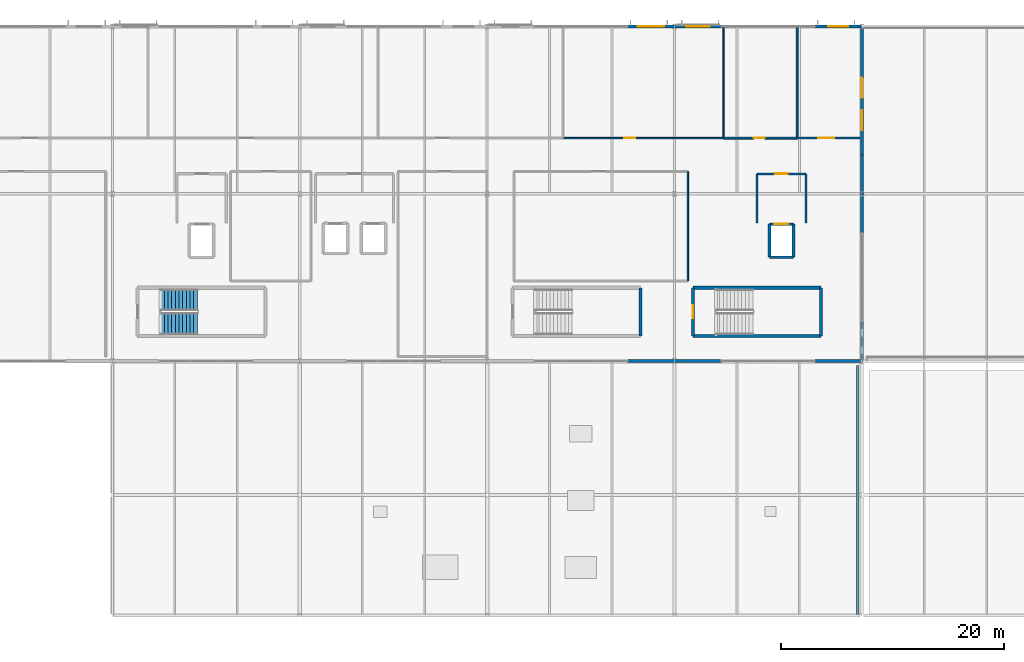
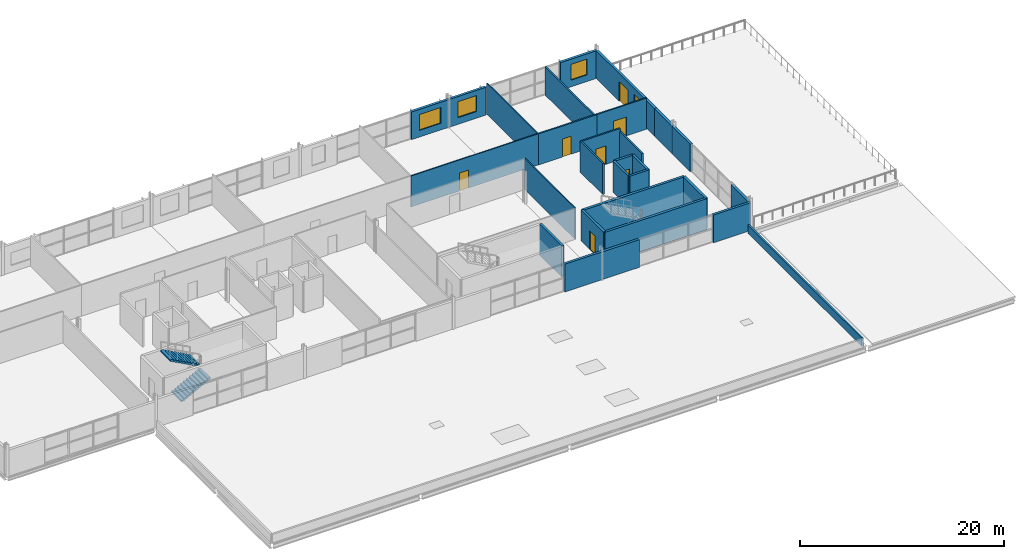
# One storey, part 31 of 36: 29 walls, 7 doors, 4 windows, 2 stair flights, 11 openings, 1 element without a shape of its own.
"""IFC4 building model written with IfcOpenShell, lengths in metres."""

import ifcopenshell
import ifcopenshell.guid

model = None  # the IFC model being written
_history = None  # IfcOwnerHistory: only IFC2X3 demands one
_inside = {}  # id of a spatial element -> (the spatial element, [elements in it])
_under = {}  # id of a project, library or spatial element -> (it, [spatial elements below it])
_declared = {}  # id of a project -> (the project, [libraries it declares])
_typed = {}  # id of a type object -> (the type object, [elements of that type])
_made_of = {}  # id of a material, layer set ... -> (it, [elements and type objects made of it])


def new_model(schema):
    """Start an empty IFC model of exactly this schema.

    Asked for "IFC4X3", IfcOpenShell would pick the latest addendum, in which some entities
    have other attributes; the version numbers below select the first issue.
    IFC2X3 requires an IfcOwnerHistory on every rooted entity: one is made here for all.
    """
    global model, _history
    if schema == "IFC4X3":
        model = ifcopenshell.file(schema_version=(4, 3, 0, 0))
    else:
        model = ifcopenshell.file(schema=schema)
    _inside.clear()
    _under.clear()
    _declared.clear()
    _typed.clear()
    _made_of.clear()
    _history = None
    if model.schema == "IFC2X3":
        org = make("IfcOrganization", Name="unknown")
        user = make(
            "IfcPersonAndOrganization",
            ThePerson=make("IfcPerson", FamilyName="unknown"),
            TheOrganization=org,
        )
        app = make(
            "IfcApplication",
            ApplicationDeveloper=org,
            Version="unknown",
            ApplicationFullName="unknown",
            ApplicationIdentifier="unknown",
        )
        _history = make(
            "IfcOwnerHistory",
            OwningUser=user,
            OwningApplication=app,
            ChangeAction="ADDED",
            CreationDate=0,
        )
    return model


def make(cls, **values):
    """One entity of the class cls with the attributes given. An attribute that is None is left unset."""
    return model.create_entity(
        cls, **{name: value for name, value in values.items() if value is not None}
    )


def rooted(cls, **values):
    """An entity with a GlobalId (a new one), such as an element, a storey or a relation."""
    return make(cls, GlobalId=ifcopenshell.guid.new(), OwnerHistory=_history, **values)


def si_unit(unit_type, name, prefix=None):
    """IfcSIUnit, for example si_unit("LENGTHUNIT", "METRE", prefix="MILLI")."""
    return make("IfcSIUnit", UnitType=unit_type, Prefix=prefix, Name=name)


def assignment(units):
    """IfcUnitAssignment: the units of a project."""
    return None if units is None else make("IfcUnitAssignment", Units=units)


def point(xyz):
    """IfcCartesianPoint."""
    return None if xyz is None else make("IfcCartesianPoint", Coordinates=xyz)


def direction(xyz):
    """IfcDirection."""
    return None if xyz is None else make("IfcDirection", DirectionRatios=xyz)


def frame(location, z_axis=None, x_axis=None):
    """IfcAxis2Placement3D, a coordinate frame: its origin and axes. An axis left out is left unset."""
    return make(
        "IfcAxis2Placement3D",
        Location=point(location),
        Axis=direction(z_axis),
        RefDirection=direction(x_axis),
    )


def frame_2d(location, x_axis=None):
    """IfcAxis2Placement2D, a coordinate frame in the plane: its origin and x axis."""
    return make(
        "IfcAxis2Placement2D", Location=point(location), RefDirection=direction(x_axis)
    )


def origin():
    """The frame at (0, 0, 0) with its axes left unset."""
    return frame((0.0, 0.0, 0.0))


def place(relative_to, where):
    """IfcLocalPlacement: puts the frame where relative to a parent placement (None: the world)."""
    return make(
        "IfcLocalPlacement", PlacementRelTo=relative_to, RelativePlacement=where
    )


def context(
    kind, dimensions, precision=None, world=None, true_north=None, identifier=None
):
    """IfcGeometricRepresentationContext, for example the 3D "Model" context."""
    return make(
        "IfcGeometricRepresentationContext",
        ContextIdentifier=identifier,
        ContextType=kind,
        CoordinateSpaceDimension=dimensions,
        Precision=precision,
        WorldCoordinateSystem=world,
        TrueNorth=true_north,
    )


def subcontext(parent, identifier, kind, view, scale=None):
    """IfcGeometricRepresentationSubContext, for example "Body" below "Model"."""
    return make(
        "IfcGeometricRepresentationSubContext",
        ContextIdentifier=identifier,
        ContextType=kind,
        ParentContext=parent,
        TargetScale=scale,
        TargetView=view,
    )


def project(units=None, contexts=None):
    """IfcProject with its units and contexts."""
    return rooted(
        "IfcProject",
        Name="project",
        RepresentationContexts=contexts,
        UnitsInContext=assignment(units),
    )


def spatial(cls, under=None, at=None, **own):
    """A site, building, storey or space (cls), placed at a placement, below another one or the project."""
    s = rooted(cls, ObjectPlacement=at, **own)
    if under is not None:
        _under.setdefault(under.id(), (under, []))[1].append(s)
    return s


def polyline(points):
    """IfcPolyline through the points."""
    return make("IfcPolyline", Points=[point(p) for p in points])


def profile(cls, at=None, kind="AREA", **sizes):
    """A parametric profile (cls). Its sizes go by their IFC names, for example OverallWidth=200.0."""
    return make(cls, ProfileType=kind, Position=at, **sizes)


def rectangle(**sizes):
    """IfcRectangleProfileDef."""
    return profile("IfcRectangleProfileDef", **sizes)


def outline(outer, holes=None, kind="AREA"):
    """IfcArbitraryClosedProfileDef: a profile drawn as a closed curve; with holes, ...WithVoids."""
    if holes is None:
        return make("IfcArbitraryClosedProfileDef", ProfileType=kind, OuterCurve=outer)
    return make(
        "IfcArbitraryProfileDefWithVoids",
        ProfileType=kind,
        OuterCurve=outer,
        InnerCurves=holes,
    )


def extrude(swept, where, along, depth):
    """IfcExtrudedAreaSolid: the profile swept, set in the frame where, extruded along a direction by depth."""
    return make(
        "IfcExtrudedAreaSolid",
        SweptArea=swept,
        Position=where,
        ExtrudedDirection=direction(along),
        Depth=depth,
    )


def shape(context_of_items, identifier, shape_type, items):
    """IfcShapeRepresentation: the items that make up one representation, for example the "Body"."""
    return make(
        "IfcShapeRepresentation",
        ContextOfItems=context_of_items,
        RepresentationIdentifier=identifier,
        RepresentationType=shape_type,
        Items=items,
    )


def material(Name=None, Category=None):
    """IfcMaterial."""
    return make("IfcMaterial", Name=Name, Category=Category)


def layer(
    of_material, thickness, ventilated=None, Name=None, Category=None, Priority=None
):
    """IfcMaterialLayer: one layer of a wall or slab, of a material (None: an air gap)."""
    return make(
        "IfcMaterialLayer",
        Material=of_material,
        LayerThickness=thickness,
        IsVentilated=ventilated,
        Name=Name,
        Category=Category,
        Priority=Priority,
    )


def layer_set(layers, Name=None):
    """IfcMaterialLayerSet."""
    return make("IfcMaterialLayerSet", MaterialLayers=layers, LayerSetName=Name)


def made_of(thing, what):
    """Note that an element or type object is made of a material, layer set ...; save() writes the relation."""
    if what is not None:
        _made_of.setdefault(what.id(), (what, []))[1].append(thing)
    return thing


def type_object(cls, material=None, **own):
    """A type object (cls), such as IfcWallType, which elements share."""
    return made_of(rooted(cls, **own), material)


def element(
    cls,
    number,
    at=None,
    inside=None,
    cuts=None,
    type_object=None,
    material=None,
    context=None,
    identifier="Body",
    shape_type=None,
    held_by="IfcProductDefinitionShape",
    body=None,
    shapes=None,
    **own,
):
    """One element of the class cls, such as IfcWall. Its Tag is "e" and its number.

    at: its placement. inside: the storey or other place that contains it. cuts: it is an
    opening in that element (IfcRelVoidsElement). A single representation is given by context,
    identifier, shape_type and body (its items); several are given by shapes. held_by: the class
    of the entity that holds the representations. save() writes the other relations.
    """
    e = rooted(cls, Tag="e%d" % number, ObjectPlacement=at, **own)
    if body is not None:
        shapes = [shape(context, identifier, shape_type, body)]
    if shapes is not None:
        e.Representation = make(held_by, Representations=shapes)
    if inside is not None:
        _inside.setdefault(inside.id(), (inside, []))[1].append(e)
    if cuts is not None:
        rooted(
            "IfcRelVoidsElement", RelatingBuildingElement=cuts, RelatedOpeningElement=e
        )
    if type_object is not None:
        _typed.setdefault(type_object.id(), (type_object, []))[1].append(e)
    return made_of(e, material)


def fill(opening, filler):
    """IfcRelFillsElement: the door or window that sits in an opening."""
    return rooted(
        "IfcRelFillsElement",
        RelatingOpeningElement=opening,
        RelatedBuildingElement=filler,
    )


def aggregate(whole, parts):
    """IfcRelAggregates: a whole, such as a stair, and the parts it consists of."""
    return rooted("IfcRelAggregates", RelatingObject=whole, RelatedObjects=parts)


def save(model, path):
    """Write the relations noted so far, then the file.

    IfcRelAggregates (storeys below a building ...), IfcRelContainedInSpatialStructure (elements
    in a storey), IfcRelDefinesByType, IfcRelAssociatesMaterial and IfcRelDeclares: one each for
    every whole, place, type object, material and project.
    """
    for whole, parts in _under.values():
        aggregate(whole, parts)
    for where, things in _inside.values():
        rooted(
            "IfcRelContainedInSpatialStructure",
            RelatedElements=things,
            RelatingStructure=where,
        )
    for kind, things in _typed.values():
        rooted("IfcRelDefinesByType", RelatedObjects=things, RelatingType=kind)
    for what, things in _made_of.values():
        rooted("IfcRelAssociatesMaterial", RelatedObjects=things, RelatingMaterial=what)
    for by, libraries in _declared.values():
        rooted("IfcRelDeclares", RelatingContext=by, RelatedDefinitions=libraries)
    model.write(path)


model = new_model("IFC4")

# Units and contexts
model_context = context("Model", 3, precision=1e-05, world=origin(), true_north=direction((0.0, 1.0)))
body_context = subcontext(model_context, "Body", "Model", "MODEL_VIEW")
ifc_project = project(units=[si_unit("LENGTHUNIT", "METRE"), si_unit("AREAUNIT", "SQUARE_METRE"), si_unit("VOLUMEUNIT", "CUBIC_METRE"), si_unit("PLANEANGLEUNIT", "RADIAN"), si_unit("MASSUNIT", "GRAM", prefix="KILO")], contexts=[model_context])

# Site, building, storey
site_placement = place(None, origin())
site = spatial("IfcSite", under=ifc_project, at=site_placement, CompositionType="ELEMENT")
building_placement = place(site_placement, origin())
building = spatial("IfcBuilding", under=site, at=building_placement, Name="Kimbaza Rail Terminus", CompositionType="ELEMENT")
storey_placement = place(building_placement, frame((0.0, 0.0, 21.0)))
storey = spatial("IfcBuildingStorey", under=building, at=storey_placement, Name="L04", CompositionType="ELEMENT", Elevation=21.0)

# Wall, opening, window
ifc_material_1 = material(Name="Precast concrete C40/50", Category="concrete")
ifc_layer_1 = layer(ifc_material_1, 0.280029296875)
ifc_layer_set_1 = layer_set([ifc_layer_1], Name="Precast concrete C40/50")
wall_type_1 = type_object("IfcWallType", Name="ARC-WL-EXT280", PredefinedType="STANDARD", material=ifc_layer_set_1)
wall_1_placement = place(storey_placement, frame((118.199951171875, 133.0, 0.0), z_axis=(0.0, 0.0, 1.0), x_axis=(1.0, 0.0, 0.0)))
wall_1 = element("IfcWall", 1, at=wall_1_placement, inside=storey, type_object=wall_type_1, Name="Operations North Pier L04 3B", PredefinedType="STANDARD", context=body_context, shape_type="SweptSolid", body=[
    extrude(rectangle(XDim=4.199951171875, YDim=0.280029296875, at=frame_2d((2.10009765625, 0.0))), origin(), (0.0, 0.0, 1.0), 3.31494140625),
])
opening_1_placement = place(wall_1_placement, frame((0.89990234375, 0.0, 0.800048828125)))
opening_1 = element("IfcOpeningElement", 2, at=opening_1_placement, cuts=wall_1, Name="Opening W-05", PredefinedType="OPENING", context=body_context, shape_type="SweptSolid", body=[
    extrude(rectangle(XDim=2.39990234375, YDim=1.89990234375, at=frame_2d((1.199951171875, 0.949951171875))), frame((0.0, 0.14990234375, 0.0), z_axis=(0.0, -1.0, 0.0), x_axis=(1.0, 0.0, 0.0)), (0.0, 0.0, 1.0), 0.300048828125),
])
ifc_material_2 = material(Name="Thermally broken aluminium and solar low-E glass", Category="aluminium")
window_type_1 = type_object("IfcWindowType", Name="ARC-WIN-W-05", PartitioningType="SINGLE_PANEL", PredefinedType="WINDOW", material=ifc_material_2)
window_1_placement = place(opening_1_placement, origin())
window_1 = element("IfcWindow", 3, at=window_1_placement, inside=storey, type_object=window_type_1, Name="North Facade Window W-05", OverallHeight=1.89990234375, OverallWidth=2.39990234375, PartitioningType="SINGLE_PANEL", PredefinedType="WINDOW", context=body_context, shape_type="SweptSolid", body=[
    extrude(rectangle(XDim=2.39990234375, YDim=1.89990234375, at=frame_2d((1.199951171875, 0.949951171875))), frame((0.0, 0.030029296875, 0.0), z_axis=(0.0, -1.0, 0.0), x_axis=(1.0, 0.0, 0.0)), (0.0, 0.0, 1.0), 0.06005859375),
])
fill(opening_1, window_1)

wall_2_placement = place(storey_placement, frame((122.39990234375, 133.0, 0.0), z_axis=(0.0, 0.0, 1.0), x_axis=(1.0, 0.0, 0.0)))
wall_2 = element("IfcWall", 4, at=wall_2_placement, inside=storey, type_object=wall_type_1, Name="Operations North Pier L04 4A", PredefinedType="STANDARD", context=body_context, shape_type="SweptSolid", body=[
    extrude(rectangle(XDim=4.2001953125, YDim=0.280029296875, at=frame_2d((2.10009765625, 0.0))), origin(), (0.0, 0.0, 1.0), 3.31494140625),
])
opening_2_placement = place(wall_2_placement, frame((1.050048828125, 0.0, 0.800048828125)))
opening_2 = element("IfcOpeningElement", 5, at=opening_2_placement, cuts=wall_2, Name="Opening W-06", PredefinedType="OPENING", context=body_context, shape_type="SweptSolid", body=[
    extrude(rectangle(XDim=2.10009765625, YDim=1.89990234375, at=frame_2d((1.050048828125, 0.949951171875))), frame((0.0, 0.14990234375, 0.0), z_axis=(0.0, -1.0, 0.0), x_axis=(1.0, 0.0, 0.0)), (0.0, 0.0, 1.0), 0.300048828125),
])
ifc_material_3 = material(Name="Thermally broken aluminium and solar low-E glass", Category="aluminium")
window_type_2 = type_object("IfcWindowType", Name="ARC-WIN-W-06", PartitioningType="SINGLE_PANEL", PredefinedType="WINDOW", material=ifc_material_3)
window_2_placement = place(opening_2_placement, origin())
window_2 = element("IfcWindow", 6, at=window_2_placement, inside=storey, type_object=window_type_2, Name="North Facade Window W-06", OverallHeight=1.89990234375, OverallWidth=2.10009765625, PartitioningType="SINGLE_PANEL", PredefinedType="WINDOW", context=body_context, shape_type="SweptSolid", body=[
    extrude(rectangle(XDim=2.10009765625, YDim=1.89990234375, at=frame_2d((1.050048828125, 0.949951171875))), frame((0.0, 0.030029296875, 0.0), z_axis=(0.0, -1.0, 0.0), x_axis=(1.0, 0.0, 0.0)), (0.0, 0.0, 1.0), 0.06005859375),
])
fill(opening_2, window_2)

wall_3_placement = place(storey_placement, frame((135.0, 133.0, 0.0), z_axis=(0.0, 0.0, 1.0), x_axis=(1.0, 0.0, 0.0)))
wall_3 = element("IfcWall", 7, at=wall_3_placement, inside=storey, type_object=wall_type_1, Name="Operations North Pier L04 4B", PredefinedType="STANDARD", context=body_context, shape_type="SweptSolid", body=[
    extrude(rectangle(XDim=4.199951171875, YDim=0.280029296875, at=frame_2d((2.10009765625, 0.0))), origin(), (0.0, 0.0, 1.0), 3.31494140625),
])
opening_3_placement = place(wall_3_placement, frame((1.199951171875, 0.0, 0.800048828125)))
opening_3 = element("IfcOpeningElement", 8, at=opening_3_placement, cuts=wall_3, Name="Opening W-07", PredefinedType="OPENING", context=body_context, shape_type="SweptSolid", body=[
    extrude(rectangle(XDim=1.800048828125, YDim=1.89990234375, at=frame_2d((0.89990234375, 0.949951171875))), frame((0.0, 0.14990234375, 0.0), z_axis=(0.0, -1.0, 0.0), x_axis=(1.0, 0.0, 0.0)), (0.0, 0.0, 1.0), 0.300048828125),
])
ifc_material_4 = material(Name="Thermally broken aluminium and solar low-E glass", Category="aluminium")
window_type_3 = type_object("IfcWindowType", Name="ARC-WIN-W-07", PartitioningType="SINGLE_PANEL", PredefinedType="WINDOW", material=ifc_material_4)
window_3_placement = place(opening_3_placement, origin())
window_3 = element("IfcWindow", 9, at=window_3_placement, inside=storey, type_object=window_type_3, Name="North Facade Window W-07", OverallHeight=1.89990234375, OverallWidth=1.800048828125, PartitioningType="SINGLE_PANEL", PredefinedType="WINDOW", context=body_context, shape_type="SweptSolid", body=[
    extrude(rectangle(XDim=1.800048828125, YDim=1.89990234375, at=frame_2d((0.89990234375, 0.949951171875))), frame((0.0, 0.030029296875, 0.0), z_axis=(0.0, -1.0, 0.0), x_axis=(1.0, 0.0, 0.0)), (0.0, 0.0, 1.0), 0.06005859375),
])
fill(opening_3, window_3)

# Walls
wall_4_placement = place(storey_placement, frame((118.199951171875, 103.0, 0.0), z_axis=(0.0, 0.0, 1.0), x_axis=(1.0, 0.0, 0.0)))
element("IfcWall", 10, at=wall_4_placement, inside=storey, type_object=wall_type_1, Name="Operations South Wall L04 3B", PredefinedType="STANDARD", context=body_context, shape_type="SweptSolid", body=[
    extrude(rectangle(XDim=4.199951171875, YDim=0.280029296875, at=frame_2d((2.10009765625, 0.0))), origin(), (0.0, 0.0, 1.0), 3.31494140625),
])
wall_5_placement = place(storey_placement, frame((122.39990234375, 103.0, 0.0), z_axis=(0.0, 0.0, 1.0), x_axis=(1.0, 0.0, 0.0)))
element("IfcWall", 11, at=wall_5_placement, inside=storey, type_object=wall_type_1, Name="Operations South Wall L04 4A", PredefinedType="STANDARD", context=body_context, shape_type="SweptSolid", body=[
    extrude(rectangle(XDim=4.2001953125, YDim=0.280029296875, at=frame_2d((2.10009765625, 0.0))), origin(), (0.0, 0.0, 1.0), 3.31494140625),
])
wall_6_placement = place(storey_placement, frame((135.0, 103.0, 0.0), z_axis=(0.0, 0.0, 1.0), x_axis=(1.0, 0.0, 0.0)))
element("IfcWall", 12, at=wall_6_placement, inside=storey, type_object=wall_type_1, Name="Operations South Wall L04 4B", PredefinedType="STANDARD", context=body_context, shape_type="SweptSolid", body=[
    extrude(rectangle(XDim=4.199951171875, YDim=0.280029296875, at=frame_2d((2.10009765625, 0.0))), origin(), (0.0, 0.0, 1.0), 3.31494140625),
])
wall_7_placement = place(storey_placement, frame((139.199951171875, 103.139892578125, 0.0), z_axis=(0.0, 0.0, 1.0), x_axis=(0.0, 1.0, 0.0)))
element("IfcWall", 13, at=wall_7_placement, inside=storey, type_object=wall_type_1, Name="Operations E End Pier L04", PredefinedType="STANDARD", context=body_context, shape_type="SweptSolid", body=[
    extrude(rectangle(XDim=3.360107421875, YDim=0.280029296875, at=frame_2d((1.68017578125, 0.0))), origin(), (0.0, 0.0, 1.0), 3.31494140625),
])
for number, where, z_axis, x_axis, name in (
    (14, (139.199951171875, 114.5, 0.0), (0.0, 0.0, 1.0), (0.0, 1.0, 0.0), "Operations E Corner Wall L04"),
    (15, (139.199951171875, 118.0, 0.0), (0.0, 0.0, 1.0), (0.0, 1.0, 0.0), "Operations E End Pier L04"),
):
    element("IfcWall", number, at=place(storey_placement, frame(where, z_axis=z_axis, x_axis=x_axis)), inside=storey, type_object=wall_type_1, Name=name, PredefinedType="STANDARD", context=body_context, shape_type="SweptSolid", body=[
        extrude(rectangle(XDim=3.5, YDim=0.280029296875, at=frame_2d((1.75, 0.0))), origin(), (0.0, 0.0, 1.0), 3.31494140625),
    ])

# Wall, openings, door, window
wall_8_placement = place(storey_placement, frame((139.199951171875, 121.5, 0.0), z_axis=(0.0, 0.0, 1.0), x_axis=(0.0, 1.0, 0.0)))
wall_8 = element("IfcWall", 16, at=wall_8_placement, inside=storey, type_object=wall_type_1, Name="Operations L04 Terrace Access Wall", PredefinedType="STANDARD", context=body_context, shape_type="SweptSolid", body=[
    extrude(rectangle(XDim=11.360107421875, YDim=0.280029296875, at=frame_2d((5.68017578125, 0.0))), origin(), (0.0, 0.0, 1.0), 3.31494140625),
])
opening_4_placement = place(wall_8_placement, frame((6.900146484375, 0.0, 0.0), z_axis=(0.0, 0.0, 1.0), x_axis=(-1.0, 0.0, 0.0)))
opening_4 = element("IfcOpeningElement", 17, at=opening_4_placement, cuts=wall_8, Name="Opening D-TR1", PredefinedType="OPENING", context=body_context, shape_type="SweptSolid", body=[
    extrude(rectangle(XDim=1.800048828125, YDim=2.35009765625, at=frame_2d((0.89990234375, 1.175048828125))), frame((0.0, 0.14990234375, 0.0), z_axis=(0.0, -1.0, 0.0), x_axis=(1.0, 0.0, 0.0)), (0.0, 0.0, 1.0), 0.300048828125),
])
opening_5_placement = place(wall_8_placement, frame((2.199951171875, 0.0, 0.85009765625)))
opening_5 = element("IfcOpeningElement", 18, at=opening_5_placement, cuts=wall_8, Name="Opening W-12", PredefinedType="OPENING", context=body_context, shape_type="SweptSolid", body=[
    extrude(rectangle(XDim=1.800048828125, YDim=1.75, at=frame_2d((0.89990234375, 0.875))), frame((0.0, 0.14990234375, 0.0), z_axis=(0.0, -1.0, 0.0), x_axis=(1.0, 0.0, 0.0)), (0.0, 0.0, 1.0), 0.300048828125),
])
ifc_material_5 = material(Name="Thermally broken aluminium glazed terrace door", Category="aluminium")
door_type_1 = type_object("IfcDoorType", Name="ARC-DR-TER18", OperationType="NOTDEFINED", PredefinedType="DOOR", material=ifc_material_5)
door_1_placement = place(opening_4_placement, origin())
door_1 = element("IfcDoor", 19, at=door_1_placement, inside=storey, type_object=door_type_1, Name="DR-TER-L04", OperationType="SINGLE_SWING_RIGHT", OverallHeight=2.35009765625, OverallWidth=1.800048828125, PredefinedType="DOOR", context=body_context, shape_type="SweptSolid", body=[
    extrude(rectangle(XDim=1.800048828125, YDim=2.35009765625, at=frame_2d((0.89990234375, 1.175048828125))), frame((0.0, 0.02490234375, 0.0), z_axis=(0.0, -1.0, 0.0), x_axis=(1.0, 0.0, 0.0)), (0.0, 0.0, 1.0), 0.050048828125),
])
fill(opening_4, door_1)
ifc_material_6 = material(Name="Thermally broken aluminium and solar low-E glass", Category="aluminium")
window_type_4 = type_object("IfcWindowType", Name="ARC-WIN-W-12", PartitioningType="SINGLE_PANEL", PredefinedType="WINDOW", material=ifc_material_6)
window_4_placement = place(opening_5_placement, origin())
window_4 = element("IfcWindow", 20, at=window_4_placement, inside=storey, type_object=window_type_4, Name="L04 Terrace Outlook Window", OverallHeight=1.75, OverallWidth=1.800048828125, PartitioningType="SINGLE_PANEL", PredefinedType="WINDOW", context=body_context, shape_type="SweptSolid", body=[
    extrude(rectangle(XDim=1.800048828125, YDim=1.75, at=frame_2d((0.89990234375, 0.875))), frame((0.0, 0.030029296875, 0.0), z_axis=(0.0, -1.0, 0.0), x_axis=(1.0, 0.0, 0.0)), (0.0, 0.0, 1.0), 0.06005859375),
])
fill(opening_5, window_4)

# Wall
ifc_material_7 = material(Name="Concrete blockwork C30/37", Category="masonry")
ifc_layer_2 = layer(ifc_material_7, 0.179931640625)
ifc_layer_set_2 = layer_set([ifc_layer_2], Name="Concrete blockwork C30/37")
wall_type_2 = type_object("IfcWallType", Name="ARC-WL-FIRE180", PredefinedType="PARTITIONING", material=ifc_layer_set_2)
wall_9_placement = place(storey_placement, frame((134.199951171875, 115.39990234375, 0.0), z_axis=(0.0, 0.0, 1.0), x_axis=(0.0, 1.0, 0.0)))
element("IfcWall", 21, at=wall_9_placement, inside=storey, type_object=wall_type_2, Name="Firefighting Lobby LF-02 Partition (east)", PredefinedType="PARTITIONING", context=body_context, shape_type="SweptSolid", body=[
    extrude(rectangle(XDim=4.400146484375, YDim=0.179931640625, at=frame_2d((2.2001953125, 0.0))), origin(), (0.0, 0.0, 1.0), 3.375),
])

# Wall, opening, door
wall_10_placement = place(storey_placement, frame((134.199951171875, 119.800048828125, 0.0), z_axis=(0.0, 0.0, 1.0), x_axis=(-1.0, 0.0, 0.0)))
wall_10 = element("IfcWall", 22, at=wall_10_placement, inside=storey, type_object=wall_type_2, Name="Firefighting Lobby LF-02 Partition (north)", PredefinedType="PARTITIONING", context=body_context, shape_type="SweptSolid", body=[
    extrude(rectangle(XDim=4.39990234375, YDim=0.179931640625, at=frame_2d((2.199951171875, 0.0))), origin(), (0.0, 0.0, 1.0), 3.7099609375),
])
opening_6_placement = place(wall_10_placement, frame((1.625, 0.0, 0.0)))
opening_6 = element("IfcOpeningElement", 23, at=opening_6_placement, cuts=wall_10, Name="Opening FD-03", PredefinedType="OPENING", context=body_context, shape_type="SweptSolid", body=[
    extrude(rectangle(XDim=1.14990234375, YDim=2.199951171875, at=frame_2d((0.574951171875, 1.10009765625))), frame((0.0, 0.099853515625, 0.0), z_axis=(0.0, -1.0, 0.0), x_axis=(1.0, 0.0, 0.0)), (0.0, 0.0, 1.0), 0.199951171875),
])
ifc_material_8 = material(Name="Firefighting lobby self-closing steel door", Category="steel")
door_type_2 = type_object("IfcDoorType", Name="ARC-DR-FD115", OperationType="NOTDEFINED", PredefinedType="DOOR", material=ifc_material_8)
door_2_placement = place(opening_6_placement, origin())
door_2 = element("IfcDoor", 24, at=door_2_placement, inside=storey, type_object=door_type_2, Name="IDR-SPC-FFL-LF-02-L04", OperationType="SINGLE_SWING_LEFT", OverallHeight=2.199951171875, OverallWidth=1.14990234375, PredefinedType="DOOR", context=body_context, shape_type="SweptSolid", body=[
    extrude(rectangle(XDim=1.14990234375, YDim=2.199951171875, at=frame_2d((0.574951171875, 1.10009765625))), frame((0.0, 0.02490234375, 0.0), z_axis=(0.0, -1.0, 0.0), x_axis=(1.0, 0.0, 0.0)), (0.0, 0.0, 1.0), 0.050048828125),
])
fill(opening_6, door_2)

# Walls
wall_11_placement = place(storey_placement, frame((129.800048828125, 119.800048828125, 0.0), z_axis=(0.0, 0.0, 1.0), x_axis=(0.0, -1.0, 0.0)))
element("IfcWall", 25, at=wall_11_placement, inside=storey, type_object=wall_type_2, Name="Firefighting Lobby LF-02 Partition (west)", PredefinedType="PARTITIONING", context=body_context, shape_type="SweptSolid", body=[
    extrude(rectangle(XDim=4.400146484375, YDim=0.179931640625, at=frame_2d((2.2001953125, 0.0))), origin(), (0.0, 0.0, 1.0), 3.7099609375),
])
ifc_material_9 = material(Name="Precast concrete C40/50", Category="concrete")
ifc_layer_3 = layer(ifc_material_9, 0.18994140625)
ifc_layer_set_3 = layer_set([ifc_layer_3], Name="Precast concrete C40/50")
wall_type_3 = type_object("IfcWallType", Name="ARC-WL-PAR190", PredefinedType="PARAPET", material=ifc_layer_set_3)
wall_12_placement = place(storey_placement, frame((138.800048828125, 80.294921875, 0.0), z_axis=(0.0, 0.0, 1.0), x_axis=(0.0, 1.0, 0.0)))
element("IfcWall", 26, at=wall_12_placement, inside=storey, type_object=wall_type_3, Name="Footbridge Roof Parapet 2", PredefinedType="PARAPET", context=body_context, shape_type="SweptSolid", body=[
    extrude(rectangle(XDim=22.30517578125, YDim=0.18994140625, at=frame_2d((11.152587890625, 0.0))), origin(), (0.0, 0.0, 1.0), 1.0),
])

# Wall, opening, door
ifc_material_10 = material(Name="Moisture-resistant stud wall", Category="gypsum")
ifc_layer_4 = layer(ifc_material_10, 0.1201171875)
ifc_layer_set_4 = layer_set([ifc_layer_4], Name="Moisture-resistant stud wall")
wall_type_4 = type_object("IfcWallType", Name="ARC-WL-PART120", PredefinedType="PARTITIONING", material=ifc_layer_set_4)
wall_13_placement = place(storey_placement, frame((112.39990234375, 123.0, 0.0), z_axis=(0.0, 0.0, 1.0), x_axis=(1.0, 0.0, 0.0)))
wall_13 = element("IfcWall", 27, at=wall_13_placement, inside=storey, type_object=wall_type_4, Name="Rolling Stock Telemetry Lab Partition (south)", PredefinedType="PARTITIONING", context=body_context, shape_type="SweptSolid", body=[
    extrude(rectangle(XDim=14.400146484375, YDim=0.1201171875, at=frame_2d((7.2001953125, 0.0))), origin(), (0.0, 0.0, 1.0), 3.7099609375),
])
opening_7_placement = place(wall_13_placement, frame((5.5, 0.0, 0.0)))
opening_7 = element("IfcOpeningElement", 28, at=opening_7_placement, cuts=wall_13, Name="Opening ID-05", PredefinedType="OPENING", context=body_context, shape_type="SweptSolid", body=[
    extrude(rectangle(XDim=1.0, YDim=2.14990234375, at=frame_2d((0.5, 1.074951171875))), frame((0.0, 0.070068359375, 0.0), z_axis=(0.0, -1.0, 0.0), x_axis=(1.0, 0.0, 0.0)), (0.0, 0.0, 1.0), 0.14013671875),
])
ifc_material_11 = material(Name="Hardwood veneer staff room door", Category="wood")
door_type_3 = type_object("IfcDoorType", Name="ARC-DR-ID100", OperationType="NOTDEFINED", PredefinedType="DOOR", material=ifc_material_11)
door_3_placement = place(opening_7_placement, origin())
door_3 = element("IfcDoor", 29, at=door_3_placement, inside=storey, type_object=door_type_3, Name="IDR-SPC-V5N-L04-04", OperationType="SINGLE_SWING_RIGHT", OverallHeight=2.14990234375, OverallWidth=1.0, PredefinedType="DOOR", context=body_context, shape_type="SweptSolid", body=[
    extrude(rectangle(XDim=1.0, YDim=2.14990234375, at=frame_2d((0.5, 1.074951171875))), frame((0.0, 0.02490234375, 0.0), z_axis=(0.0, -1.0, 0.0), x_axis=(1.0, 0.0, 0.0)), (0.0, 0.0, 1.0), 0.050048828125),
])
fill(opening_7, door_3)

# Walls
wall_14_placement = place(storey_placement, frame((126.800048828125, 123.0, 0.0), z_axis=(0.0, 0.0, 1.0), x_axis=(0.0, 1.0, 0.0)))
element("IfcWall", 30, at=wall_14_placement, inside=storey, type_object=wall_type_4, Name="Rolling Stock Telemetry Lab Partition (east)", PredefinedType="PARTITIONING", context=body_context, shape_type="SweptSolid", body=[
    extrude(rectangle(XDim=9.97998046875, YDim=0.1201171875, at=frame_2d((4.989990234375, 0.0))), origin(), (0.0, 0.0, 1.0), 3.7099609375),
])
wall_15_placement = place(storey_placement, frame((123.60009765625, 110.199951171875, 0.0), z_axis=(0.0, 0.0, 1.0), x_axis=(0.0, 1.0, 0.0)))
element("IfcWall", 31, at=wall_15_placement, inside=storey, type_object=wall_type_4, Name="L04 Rolling Stock Rostering Studio Partition (east)", PredefinedType="PARTITIONING", context=body_context, shape_type="SweptSolid", body=[
    extrude(rectangle(XDim=9.800048828125, YDim=0.1201171875, at=frame_2d((4.89990234375, 0.0))), origin(), (0.0, 0.0, 1.0), 3.7099609375),
])

# Wall, opening, door
ifc_material_12 = material(Name="Acoustic gypsum stud partition", Category="gypsum")
ifc_layer_5 = layer(ifc_material_12, 0.159912109375)
ifc_layer_set_5 = layer_set([ifc_layer_5], Name="Acoustic gypsum stud partition")
wall_type_5 = type_object("IfcWallType", Name="ARC-WL-PART160", PredefinedType="PARTITIONING", material=ifc_layer_set_5)
wall_16_placement = place(storey_placement, frame((133.39990234375, 123.0, 0.0), z_axis=(0.0, 0.0, 1.0), x_axis=(1.0, 0.0, 0.0)))
wall_16 = element("IfcWall", 32, at=wall_16_placement, inside=storey, type_object=wall_type_5, Name="Terrace Dayroom and Tea Lounge Partition (south)", PredefinedType="PARTITIONING", context=body_context, shape_type="SweptSolid", body=[
    extrude(rectangle(XDim=5.60009765625, YDim=0.159912109375, at=frame_2d((2.800048828125, 0.0))), origin(), (0.0, 0.0, 1.0), 3.7099609375),
])
opening_8_placement = place(wall_16_placement, frame((3.324951171875, 0.0, 0.0), z_axis=(0.0, 0.0, 1.0), x_axis=(-1.0, 0.0, 0.0)))
opening_8 = element("IfcOpeningElement", 33, at=opening_8_placement, cuts=wall_16, Name="Opening ID-07", PredefinedType="OPENING", context=body_context, shape_type="SweptSolid", body=[
    extrude(rectangle(XDim=1.449951171875, YDim=2.25, at=frame_2d((0.72509765625, 1.125))), frame((0.0, 0.08984375, 0.0), z_axis=(0.0, -1.0, 0.0), x_axis=(1.0, 0.0, 0.0)), (0.0, 0.0, 1.0), 0.179931640625),
])
ifc_material_13 = material(Name="Retail shopfront glazed entrance door", Category="aluminium")
door_type_4 = type_object("IfcDoorType", Name="ARC-DR-ID145", OperationType="NOTDEFINED", PredefinedType="DOOR", material=ifc_material_13)
door_4_placement = place(opening_8_placement, origin())
door_4 = element("IfcDoor", 34, at=door_4_placement, inside=storey, type_object=door_type_4, Name="IDR-SPC-V5N-L04-06", OperationType="SINGLE_SWING_RIGHT", OverallHeight=2.25, OverallWidth=1.449951171875, PredefinedType="DOOR", context=body_context, shape_type="SweptSolid", body=[
    extrude(rectangle(XDim=1.449951171875, YDim=2.25, at=frame_2d((0.72509765625, 1.125))), frame((0.0, 0.02490234375, 0.0), z_axis=(0.0, -1.0, 0.0), x_axis=(1.0, 0.0, 0.0)), (0.0, 0.0, 1.0), 0.050048828125),
])
fill(opening_8, door_4)

ifc_material_14 = material(Name="Moisture-resistant blockwork C25/30", Category="masonry")
ifc_layer_6 = layer(ifc_material_14, 0.169921875)
ifc_layer_set_6 = layer_set([ifc_layer_6], Name="Moisture-resistant blockwork C25/30")
wall_type_6 = type_object("IfcWallType", Name="ARC-WL-PLMB170", PredefinedType="PLUMBINGWALL", material=ifc_layer_set_6)
wall_17_placement = place(storey_placement, frame((126.800048828125, 123.0, 0.0), z_axis=(0.0, 0.0, 1.0), x_axis=(1.0, 0.0, 0.0)))
wall_17 = element("IfcWall", 35, at=wall_17_placement, inside=storey, type_object=wall_type_6, Name="L04 Staff Accessible WC Partition (south)", PredefinedType="PLUMBINGWALL", context=body_context, shape_type="SweptSolid", body=[
    extrude(rectangle(XDim=6.599853515625, YDim=0.169921875, at=frame_2d((3.2998046875, 0.0))), origin(), (0.0, 0.0, 1.0), 3.7099609375),
])
opening_9_placement = place(wall_17_placement, frame((2.72509765625, 0.0, 0.0)))
opening_9 = element("IfcOpeningElement", 36, at=opening_9_placement, cuts=wall_17, Name="Opening ID-06", PredefinedType="OPENING", context=body_context, shape_type="SweptSolid", body=[
    extrude(rectangle(XDim=0.949951171875, YDim=2.14990234375, at=frame_2d((0.47509765625, 1.074951171875))), frame((0.0, 0.094970703125, 0.0), z_axis=(0.0, -1.0, 0.0), x_axis=(1.0, 0.0, 0.0)), (0.0, 0.0, 1.0), 0.18994140625),
])
ifc_material_15 = material(Name="Accessible washroom outward-capable door", Category="wood")
door_type_5 = type_object("IfcDoorType", Name="ARC-DR-ID095", OperationType="NOTDEFINED", PredefinedType="DOOR", material=ifc_material_15)
door_5_placement = place(opening_9_placement, origin())
door_5 = element("IfcDoor", 37, at=door_5_placement, inside=storey, type_object=door_type_5, Name="IDR-SPC-V5N-L04-05", OperationType="SINGLE_SWING_LEFT", OverallHeight=2.14990234375, OverallWidth=0.949951171875, PredefinedType="DOOR", context=body_context, shape_type="SweptSolid", body=[
    extrude(rectangle(XDim=0.949951171875, YDim=2.14990234375, at=frame_2d((0.47509765625, 1.074951171875))), frame((0.0, 0.02490234375, 0.0), z_axis=(0.0, -1.0, 0.0), x_axis=(1.0, 0.0, 0.0)), (0.0, 0.0, 1.0), 0.050048828125),
])
fill(opening_9, door_5)

# Walls
wall_18_placement = place(storey_placement, frame((133.39990234375, 123.0, 0.0), z_axis=(0.0, 0.0, 1.0), x_axis=(0.0, 1.0, 0.0)))
element("IfcWall", 38, at=wall_18_placement, inside=storey, type_object=wall_type_6, Name="L04 Staff Accessible WC Partition (east)", PredefinedType="PLUMBINGWALL", context=body_context, shape_type="SweptSolid", body=[
    extrude(rectangle(XDim=9.97998046875, YDim=0.169921875, at=frame_2d((4.989990234375, 0.0))), origin(), (0.0, 0.0, 1.0), 3.375),
])
ifc_material_16 = material(Name="Concrete C40/50", Category="concrete")
ifc_layer_7 = layer(ifc_material_16, 0.25)
ifc_layer_set_7 = layer_set([ifc_layer_7], Name="Concrete C40/50")
wall_type_7 = type_object("IfcWallType", Name="STR-WL-CORE250", PredefinedType="SHEAR", material=ifc_layer_set_7)
wall_19_placement = place(storey_placement, frame((130.919921875, 112.320068359375, 0.0), z_axis=(0.0, 0.0, 1.0), x_axis=(1.0, 0.0, 0.0)))
element("IfcWall", 39, at=wall_19_placement, inside=storey, type_object=wall_type_7, Name="Lift Shaft Wall LF-02 L04-1", PredefinedType="SHEAR", context=body_context, shape_type="SweptSolid", body=[
    extrude(rectangle(XDim=2.16015625, YDim=0.25, at=frame_2d((1.080078125, 0.0))), origin(), (0.0, 0.0, 1.0), 3.7099609375),
])
wall_20_placement = place(storey_placement, frame((133.080078125, 112.320068359375, 0.0), z_axis=(0.0, 0.0, 1.0), x_axis=(0.0, 1.0, 0.0)))
element("IfcWall", 40, at=wall_20_placement, inside=storey, type_object=wall_type_7, Name="Lift Shaft Wall LF-02 L04-2", PredefinedType="SHEAR", context=body_context, shape_type="SweptSolid", body=[
    extrude(rectangle(XDim=2.9599609375, YDim=0.25, at=frame_2d((1.47998046875, 0.0))), origin(), (0.0, 0.0, 1.0), 3.7099609375),
])

# Wall, opening, door
wall_21_placement = place(storey_placement, frame((133.080078125, 115.280029296875, 0.0), z_axis=(0.0, 0.0, 1.0), x_axis=(-1.0, 0.0, 0.0)))
wall_21 = element("IfcWall", 41, at=wall_21_placement, inside=storey, type_object=wall_type_7, Name="Lift Shaft Wall LF-02 L04-3", PredefinedType="SHEAR", context=body_context, shape_type="SweptSolid", body=[
    extrude(rectangle(XDim=2.16015625, YDim=0.25, at=frame_2d((1.080078125, 0.0))), origin(), (0.0, 0.0, 1.0), 3.7099609375),
])
opening_10_placement = place(wall_21_placement, frame((0.47998046875, 0.0, 0.0)))
opening_10 = element("IfcOpeningElement", 42, at=opening_10_placement, cuts=wall_21, Name="Opening LD-02", PredefinedType="OPENING", context=body_context, shape_type="SweptSolid", body=[
    extrude(rectangle(XDim=1.199951171875, YDim=2.199951171875, at=frame_2d((0.60009765625, 1.10009765625))), frame((0.0, 0.135009765625, 0.0), z_axis=(0.0, -1.0, 0.0), x_axis=(1.0, 0.0, 0.0)), (0.0, 0.0, 1.0), 0.27001953125),
])
ifc_material_17 = material(Name="Firefighting stainless steel landing door", Category="steel")
door_type_6 = type_object("IfcDoorType", Name="ARC-DR-LD120", OperationType="NOTDEFINED", PredefinedType="DOOR", material=ifc_material_17)
door_6_placement = place(opening_10_placement, origin())
door_6 = element("IfcDoor", 43, at=door_6_placement, inside=storey, type_object=door_type_6, Name="LDR-LF-02-L04", OperationType="SLIDING_TO_RIGHT", OverallHeight=2.199951171875, OverallWidth=1.199951171875, PredefinedType="DOOR", context=body_context, shape_type="SweptSolid", body=[
    extrude(rectangle(XDim=1.199951171875, YDim=2.199951171875, at=frame_2d((0.60009765625, 1.10009765625))), frame((0.0, 0.02490234375, 0.0), z_axis=(0.0, -1.0, 0.0), x_axis=(1.0, 0.0, 0.0)), (0.0, 0.0, 1.0), 0.050048828125),
])
fill(opening_10, door_6)

# Walls
wall_22_placement = place(storey_placement, frame((130.919921875, 115.280029296875, 0.0), z_axis=(0.0, 0.0, 1.0), x_axis=(0.0, -1.0, 0.0)))
element("IfcWall", 44, at=wall_22_placement, inside=storey, type_object=wall_type_7, Name="Lift Shaft Wall LF-02 L04-4", PredefinedType="SHEAR", context=body_context, shape_type="SweptSolid", body=[
    extrude(rectangle(XDim=2.9599609375, YDim=0.25, at=frame_2d((1.47998046875, 0.0))), origin(), (0.0, 0.0, 1.0), 3.7099609375),
])
ifc_material_18 = material(Name="Concrete C40/50", Category="concrete")
ifc_layer_8 = layer(ifc_material_18, 0.280029296875)
ifc_layer_set_8 = layer_set([ifc_layer_8], Name="Concrete C40/50")
wall_type_8 = type_object("IfcWallType", Name="STR-WL-CORE280", PredefinedType="SHEAR", material=ifc_layer_set_8)
wall_23_placement = place(storey_placement, frame((119.340087890625, 105.260009765625, 0.0), z_axis=(0.0, 0.0, 1.0), x_axis=(0.0, 1.0, 0.0)))
element("IfcWall", 45, at=wall_23_placement, inside=storey, type_object=wall_type_8, Name="Operations Central Exit Stair Shaft Wall L04-2", PredefinedType="SHEAR", context=body_context, shape_type="SweptSolid", body=[
    extrude(rectangle(XDim=4.320068359375, YDim=0.280029296875, at=frame_2d((2.16015625, 0.0))), origin(), (0.0, 0.0, 1.0), 3.7099609375),
])
wall_24_placement = place(storey_placement, frame((124.06005859375, 105.260009765625, 0.0), z_axis=(0.0, 0.0, 1.0), x_axis=(1.0, 0.0, 0.0)))
element("IfcWall", 46, at=wall_24_placement, inside=storey, type_object=wall_type_8, Name="Operations East Exit Stair Shaft Wall L04-1", PredefinedType="SHEAR", context=body_context, shape_type="SweptSolid", body=[
    extrude(rectangle(XDim=11.47998046875, YDim=0.280029296875, at=frame_2d((5.739990234375, 0.0))), origin(), (0.0, 0.0, 1.0), 3.7099609375),
])
wall_25_placement = place(storey_placement, frame((135.5400390625, 105.260009765625, 0.0), z_axis=(0.0, 0.0, 1.0), x_axis=(0.0, 1.0, 0.0)))
element("IfcWall", 47, at=wall_25_placement, inside=storey, type_object=wall_type_8, Name="Operations East Exit Stair Shaft Wall L04-2", PredefinedType="SHEAR", context=body_context, shape_type="SweptSolid", body=[
    extrude(rectangle(XDim=4.320068359375, YDim=0.280029296875, at=frame_2d((2.16015625, 0.0))), origin(), (0.0, 0.0, 1.0), 3.7099609375),
])
wall_26_placement = place(storey_placement, frame((135.5400390625, 109.580078125, 0.0), z_axis=(0.0, 0.0, 1.0), x_axis=(-1.0, 0.0, 0.0)))
element("IfcWall", 48, at=wall_26_placement, inside=storey, type_object=wall_type_8, Name="Operations East Exit Stair Shaft Wall L04-3", PredefinedType="SHEAR", context=body_context, shape_type="SweptSolid", body=[
    extrude(rectangle(XDim=11.47998046875, YDim=0.280029296875, at=frame_2d((5.739990234375, 0.0))), origin(), (0.0, 0.0, 1.0), 3.7099609375),
])

# Wall, opening, door
wall_27_placement = place(storey_placement, frame((124.06005859375, 109.580078125, 0.0), z_axis=(0.0, 0.0, 1.0), x_axis=(0.0, -1.0, 0.0)))
wall_27 = element("IfcWall", 49, at=wall_27_placement, inside=storey, type_object=wall_type_8, Name="Operations East Exit Stair Shaft Wall L04-4", PredefinedType="SHEAR", context=body_context, shape_type="SweptSolid", body=[
    extrude(rectangle(XDim=4.320068359375, YDim=0.280029296875, at=frame_2d((2.16015625, 0.0))), origin(), (0.0, 0.0, 1.0), 3.7099609375),
])
opening_11_placement = place(wall_27_placement, frame((1.5849609375, 0.0, 0.0)))
opening_11 = element("IfcOpeningElement", 50, at=opening_11_placement, cuts=wall_27, Name="Opening FD-03", PredefinedType="OPENING", context=body_context, shape_type="SweptSolid", body=[
    extrude(rectangle(XDim=1.14990234375, YDim=2.199951171875, at=frame_2d((0.574951171875, 1.10009765625))), frame((0.0, 0.14990234375, 0.0), z_axis=(0.0, -1.0, 0.0), x_axis=(1.0, 0.0, 0.0)), (0.0, 0.0, 1.0), 0.300048828125),
])
door_7_placement = place(opening_11_placement, origin())
door_7 = element("IfcDoor", 51, at=door_7_placement, inside=storey, type_object=door_type_2, Name="SDR-ST-E1-L04", OperationType="SINGLE_SWING_RIGHT", OverallHeight=2.199951171875, OverallWidth=1.14990234375, PredefinedType="DOOR", context=body_context, shape_type="SweptSolid", body=[
    extrude(rectangle(XDim=1.14990234375, YDim=2.199951171875, at=frame_2d((0.574951171875, 1.10009765625))), frame((0.0, 0.02490234375, 0.0), z_axis=(0.0, -1.0, 0.0), x_axis=(1.0, 0.0, 0.0)), (0.0, 0.0, 1.0), 0.050048828125),
])
fill(opening_11, door_7)

# Stair, stair flights
ifc_material_19 = material(Name="Concrete C40/50", Category="concrete")
stair_type = type_object("IfcStairType", Name="ARC-STR-04", PredefinedType="HALF_TURN_STAIR", material=ifc_material_19)
stair_placement = place(storey_placement, origin())
stair = element("IfcStair", 52, at=stair_placement, inside=storey, type_object=stair_type, Name="L04 Operations West Exit Stair", PredefinedType="HALF_TURN_STAIR")
ifc_material_20 = material(Name="Concrete C40/50", Category="concrete")
stair_flight_type = type_object("IfcStairFlightType", Name="ARC-SFL-04", PredefinedType="STRAIGHT", material=ifc_material_20)
stair_flight_1_placement = place(storey_placement, frame((76.320068359375, 106.360107421875, 0.0), z_axis=(0.0, 0.0, 1.0), x_axis=(1.0, 0.0, 0.0)))
stair_flight_1 = element("IfcStairFlight", 53, at=stair_flight_1_placement, type_object=stair_flight_type, Name="ST-W1 flight 1", NumberOfRisers=11, NumberOfTreads=10, PredefinedType="STRAIGHT", RiserHeight=0.177272727, TreadLength=0.33, context=body_context, shape_type="SweptSolid", body=[
    extrude(outline(polyline([(0.0, 0.0), (0.0, 0.17724609375), (0.330078125, 0.17724609375), (0.330078125, 0.3544921875), (0.659912109375, 0.3544921875), (0.659912109375, 0.53173828125), (0.989990234375, 0.53173828125), (0.989990234375, 0.708984375), (1.320068359375, 0.708984375), (1.320068359375, 0.886474609375), (1.64990234375, 0.886474609375), (1.64990234375, 1.063720703125), (1.97998046875, 1.063720703125), (1.97998046875, 1.240966796875), (2.31005859375, 1.240966796875), (2.31005859375, 1.418212890625), (2.639892578125, 1.418212890625), (2.639892578125, 1.595458984375), (2.969970703125, 1.595458984375), (2.969970703125, 1.772705078125), (3.300048828125, 1.772705078125), (3.300048828125, 1.949951171875), (3.300048828125, 1.6025390625), (0.316650390625, 0.0), (0.0, 0.0)])), frame((0.0, 0.9599609375, 0.0), z_axis=(0.0, -1.0, 0.0), x_axis=(1.0, 0.0, 0.0)), (0.0, 0.0, 1.0), 1.919921875),
])
stair_flight_2_placement = place(storey_placement, frame((79.6201171875, 108.47998046875, 1.949951171875), z_axis=(0.0, 0.0, 1.0), x_axis=(-1.0, 0.0, 0.0)))
stair_flight_2 = element("IfcStairFlight", 54, at=stair_flight_2_placement, type_object=stair_flight_type, Name="ST-W1 flight 2", NumberOfRisers=11, NumberOfTreads=10, PredefinedType="STRAIGHT", RiserHeight=0.177272727, TreadLength=0.33, context=body_context, shape_type="SweptSolid", body=[
    extrude(outline(polyline([(0.0, 0.0), (0.0, 0.17724609375), (0.330078125, 0.17724609375), (0.330078125, 0.3544921875), (0.659912109375, 0.3544921875), (0.659912109375, 0.53173828125), (0.989990234375, 0.53173828125), (0.989990234375, 0.708984375), (1.320068359375, 0.708984375), (1.320068359375, 0.886474609375), (1.64990234375, 0.886474609375), (1.64990234375, 1.063720703125), (1.97998046875, 1.063720703125), (1.97998046875, 1.240966796875), (2.31005859375, 1.240966796875), (2.31005859375, 1.418212890625), (2.639892578125, 1.418212890625), (2.639892578125, 1.595458984375), (2.969970703125, 1.595458984375), (2.969970703125, 1.772705078125), (3.300048828125, 1.772705078125), (3.300048828125, 1.949951171875), (3.300048828125, 1.6025390625), (0.316650390625, 0.0), (0.0, 0.0)])), frame((0.0, 0.9599609375, 0.0), z_axis=(0.0, -1.0, 0.0), x_axis=(1.0, 0.0, 0.0)), (0.0, 0.0, 1.0), 1.919921875),
])
aggregate(stair, [stair_flight_1, stair_flight_2])

save(model, "model.ifc")
